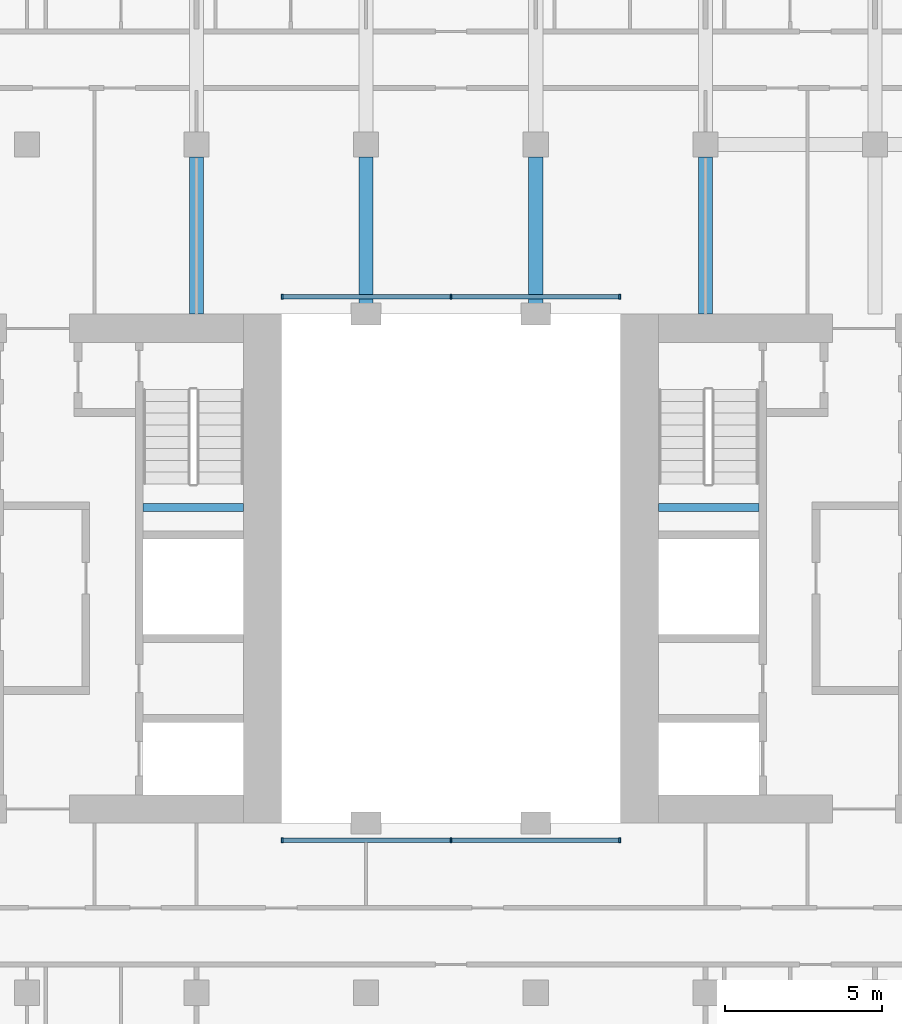
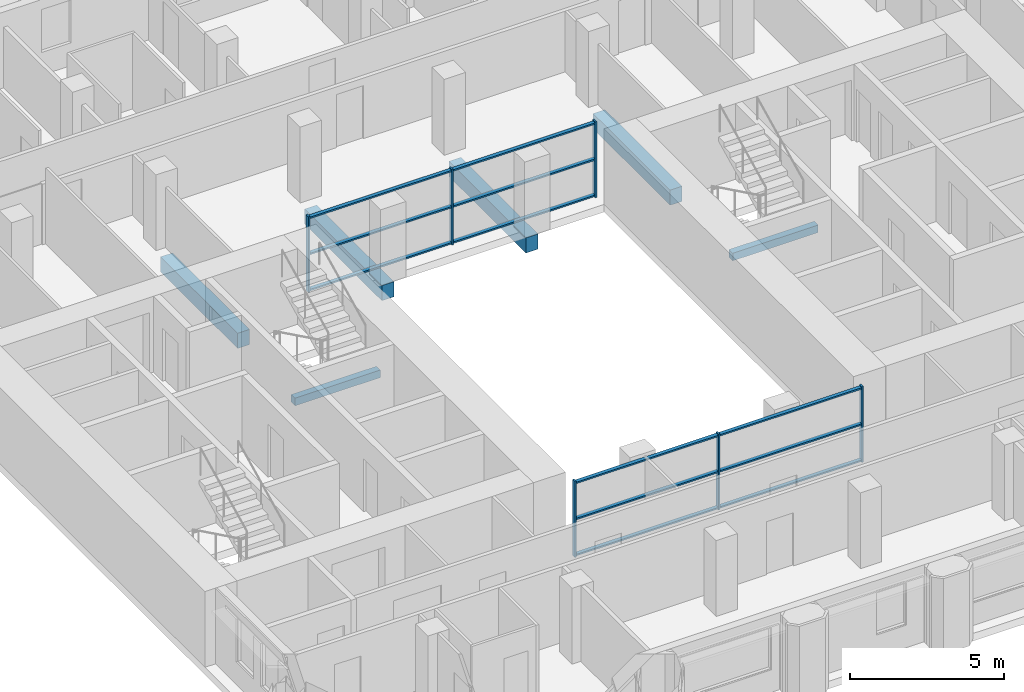
# One storey, part 2 of 12: 18 members, 6 beams, 2 elements without a shape of their own.
"""IFC4 building model written with IfcOpenShell, lengths in metres."""

from ifc_helpers import new_model, si_unit, direction, frame, origin, origin_2d, place, context, subcontext, project, spatial, rectangle, extrude, material, material_profile, profile_set, type_object, element, aggregate, save


model = new_model("IFC4")

# Units and contexts
model_context = context("Model", 3, precision=1e-05, world=origin(), true_north=direction((0.0, 1.0)))
body_context = subcontext(model_context, "Body", "Model", "MODEL_VIEW")
ifc_project = project(units=[si_unit("LENGTHUNIT", "METRE"), si_unit("AREAUNIT", "SQUARE_METRE"), si_unit("VOLUMEUNIT", "CUBIC_METRE"), si_unit("PLANEANGLEUNIT", "RADIAN"), si_unit("MASSUNIT", "GRAM", prefix="KILO")], contexts=[model_context])

# Site, building, storey
site_placement = place(None, origin())
site = spatial("IfcSite", under=ifc_project, at=site_placement, CompositionType="ELEMENT")
building_placement = place(site_placement, origin())
building = spatial("IfcBuilding", under=site, at=building_placement, Name="Tabaq Tower and Sports Hall", CompositionType="ELEMENT")
storey_placement = place(building_placement, frame((0.0, 0.0, 190.60009765625)))
storey = spatial("IfcBuildingStorey", under=building, at=storey_placement, Name="L46", CompositionType="ELEMENT", Elevation=190.60009765625)

# Curtain wall, members
ifc_material_1 = material(Name="Aluminium alloy 6063-T6 framed glazing", Category="aluminium")
curtain_wall_type = type_object("IfcCurtainWallType", Name="CW1 curtain wall", PredefinedType="USERDEFINED", material=ifc_material_1)
curtain_wall_1_placement = place(storey_placement, origin())
curtain_wall_1 = element("IfcCurtainWall", 1, at=curtain_wall_1_placement, inside=storey, type_object=curtain_wall_type, Name="Atrium glazing L46 S", ObjectType="ATRIUM ENCLOSURE", PredefinedType="USERDEFINED")
ifc_material_2 = material(Name="Aluminium alloy 6063-T6", Category="aluminium")
ifc_material_profile_1 = material_profile(ifc_material_2, rectangle(XDim=0.159912109375, YDim=0.06005859375, at=origin_2d()), Name="MULLION 160x60")
ifc_profile_set_1 = profile_set([ifc_material_profile_1], Name="Aluminium alloy 6063-T6")
member_type_1 = type_object("IfcMemberType", Name="CW1 mullion 160x60", PredefinedType="MULLION", material=ifc_profile_set_1)
member_1_placement = place(storey_placement, frame((18.929931640625, 15.64990234375, 0.0), z_axis=(0.0, 0.0, 1.0), x_axis=(0.0, 1.0, 0.0)))
member_1 = element("IfcMember", 2, at=member_1_placement, type_object=member_type_1, Name="CW1 mullion 1", PredefinedType="MULLION", context=body_context, shape_type="SweptSolid", body=[
    extrude(rectangle(XDim=0.159912109375, YDim=0.06005859375, at=origin_2d()), origin(), (0.0, 0.0, 1.0), 3.0),
])
member_2_placement = place(storey_placement, frame((24.300048828125, 15.64990234375, 0.0), z_axis=(0.0, 0.0, 1.0), x_axis=(0.0, 1.0, 0.0)))
member_2 = element("IfcMember", 3, at=member_2_placement, type_object=member_type_1, Name="CW1 mullion 2", PredefinedType="MULLION", context=body_context, shape_type="SweptSolid", body=[
    extrude(rectangle(XDim=0.159912109375, YDim=0.06005859375, at=origin_2d()), origin(), (0.0, 0.0, 1.0), 3.0),
])
member_3_placement = place(storey_placement, frame((29.669921875, 15.64990234375, 0.0), z_axis=(0.0, 0.0, 1.0), x_axis=(0.0, 1.0, 0.0)))
member_3 = element("IfcMember", 4, at=member_3_placement, type_object=member_type_1, Name="CW1 mullion 3", PredefinedType="MULLION", context=body_context, shape_type="SweptSolid", body=[
    extrude(rectangle(XDim=0.159912109375, YDim=0.06005859375, at=origin_2d()), origin(), (0.0, 0.0, 1.0), 3.0),
])

curtain_wall_2_placement = place(storey_placement, origin())
curtain_wall_2 = element("IfcCurtainWall", 5, at=curtain_wall_2_placement, inside=storey, type_object=curtain_wall_type, Name="Atrium glazing L46 N", ObjectType="ATRIUM ENCLOSURE", PredefinedType="USERDEFINED")
member_4_placement = place(storey_placement, frame((18.929931640625, 32.949951171875, 0.0), z_axis=(0.0, 0.0, 1.0), x_axis=(0.0, 1.0, 0.0)))
member_4 = element("IfcMember", 6, at=member_4_placement, type_object=member_type_1, Name="CW1 mullion 1", PredefinedType="MULLION", context=body_context, shape_type="SweptSolid", body=[
    extrude(rectangle(XDim=0.159912109375, YDim=0.06005859375, at=origin_2d()), origin(), (0.0, 0.0, 1.0), 3.0),
])
member_5_placement = place(storey_placement, frame((24.300048828125, 32.949951171875, 0.0), z_axis=(0.0, 0.0, 1.0), x_axis=(0.0, 1.0, 0.0)))
member_5 = element("IfcMember", 7, at=member_5_placement, type_object=member_type_1, Name="CW1 mullion 2", PredefinedType="MULLION", context=body_context, shape_type="SweptSolid", body=[
    extrude(rectangle(XDim=0.159912109375, YDim=0.06005859375, at=origin_2d()), origin(), (0.0, 0.0, 1.0), 3.0),
])
member_6_placement = place(storey_placement, frame((29.669921875, 32.949951171875, 0.0), z_axis=(0.0, 0.0, 1.0), x_axis=(0.0, 1.0, 0.0)))
member_6 = element("IfcMember", 8, at=member_6_placement, type_object=member_type_1, Name="CW1 mullion 3", PredefinedType="MULLION", context=body_context, shape_type="SweptSolid", body=[
    extrude(rectangle(XDim=0.159912109375, YDim=0.06005859375, at=origin_2d()), origin(), (0.0, 0.0, 1.0), 3.0),
])

# Member
ifc_material_3 = material(Name="Aluminium alloy 6063-T6", Category="aluminium")
ifc_material_profile_2 = material_profile(ifc_material_3, rectangle(XDim=0.139892578125, YDim=0.06005859375, at=origin_2d()), Name="TRANSOM 140x60")
ifc_profile_set_2 = profile_set([ifc_material_profile_2], Name="Aluminium alloy 6063-T6")
member_type_2 = type_object("IfcMemberType", Name="CW1 transom 140x60", PredefinedType="USERDEFINED", material=ifc_profile_set_2)
member_7_placement = place(storey_placement, frame((18.9599609375, 15.64990234375, 0.06982421875), z_axis=(1.0, 0.0, 0.0), x_axis=(0.0, 1.0, 0.0)))
member_7 = element("IfcMember", 9, at=member_7_placement, type_object=member_type_2, Name="CW1 transom 1.1", ObjectType="TRANSOM", PredefinedType="USERDEFINED", context=body_context, shape_type="SweptSolid", body=[
    extrude(rectangle(XDim=0.139892578125, YDim=0.06005859375, at=origin_2d()), origin(), (0.0, 0.0, 1.0), 5.31005859375),
])

member_8_placement = place(storey_placement, frame((18.9599609375, 15.64990234375, 1.5), z_axis=(1.0, 0.0, 0.0), x_axis=(0.0, 1.0, 0.0)))
member_8 = element("IfcMember", 10, at=member_8_placement, type_object=member_type_2, Name="CW1 transom 1.2", ObjectType="TRANSOM", PredefinedType="USERDEFINED", context=body_context, shape_type="SweptSolid", body=[
    extrude(rectangle(XDim=0.139892578125, YDim=0.06005859375, at=origin_2d()), origin(), (0.0, 0.0, 1.0), 5.31005859375),
])

member_9_placement = place(storey_placement, frame((18.9599609375, 15.64990234375, 2.929931640625), z_axis=(1.0, 0.0, 0.0), x_axis=(0.0, 1.0, 0.0)))
member_9 = element("IfcMember", 11, at=member_9_placement, type_object=member_type_2, Name="CW1 transom 1.3", ObjectType="TRANSOM", PredefinedType="USERDEFINED", context=body_context, shape_type="SweptSolid", body=[
    extrude(rectangle(XDim=0.139892578125, YDim=0.06005859375, at=origin_2d()), origin(), (0.0, 0.0, 1.0), 5.31005859375),
])

member_10_placement = place(storey_placement, frame((24.330078125, 15.64990234375, 0.06982421875), z_axis=(1.0, 0.0, 0.0), x_axis=(0.0, 1.0, 0.0)))
member_10 = element("IfcMember", 12, at=member_10_placement, type_object=member_type_2, Name="CW1 transom 2.1", ObjectType="TRANSOM", PredefinedType="USERDEFINED", context=body_context, shape_type="SweptSolid", body=[
    extrude(rectangle(XDim=0.139892578125, YDim=0.06005859375, at=origin_2d()), origin(), (0.0, 0.0, 1.0), 5.309814453125),
])

member_11_placement = place(storey_placement, frame((24.330078125, 15.64990234375, 1.5), z_axis=(1.0, 0.0, 0.0), x_axis=(0.0, 1.0, 0.0)))
member_11 = element("IfcMember", 13, at=member_11_placement, type_object=member_type_2, Name="CW1 transom 2.2", ObjectType="TRANSOM", PredefinedType="USERDEFINED", context=body_context, shape_type="SweptSolid", body=[
    extrude(rectangle(XDim=0.139892578125, YDim=0.06005859375, at=origin_2d()), origin(), (0.0, 0.0, 1.0), 5.309814453125),
])

member_12_placement = place(storey_placement, frame((24.330078125, 15.64990234375, 2.929931640625), z_axis=(1.0, 0.0, 0.0), x_axis=(0.0, 1.0, 0.0)))
member_12 = element("IfcMember", 14, at=member_12_placement, type_object=member_type_2, Name="CW1 transom 2.3", ObjectType="TRANSOM", PredefinedType="USERDEFINED", context=body_context, shape_type="SweptSolid", body=[
    extrude(rectangle(XDim=0.139892578125, YDim=0.06005859375, at=origin_2d()), origin(), (0.0, 0.0, 1.0), 5.309814453125),
])

aggregate(curtain_wall_1, [member_1, member_2, member_3, member_7, member_8, member_9, member_10, member_11, member_12])

member_13_placement = place(storey_placement, frame((18.9599609375, 32.949951171875, 0.06982421875), z_axis=(1.0, 0.0, 0.0), x_axis=(0.0, 1.0, 0.0)))
member_13 = element("IfcMember", 15, at=member_13_placement, type_object=member_type_2, Name="CW1 transom 1.1", ObjectType="TRANSOM", PredefinedType="USERDEFINED", context=body_context, shape_type="SweptSolid", body=[
    extrude(rectangle(XDim=0.139892578125, YDim=0.06005859375, at=origin_2d()), origin(), (0.0, 0.0, 1.0), 5.31005859375),
])

member_14_placement = place(storey_placement, frame((18.9599609375, 32.949951171875, 1.5), z_axis=(1.0, 0.0, 0.0), x_axis=(0.0, 1.0, 0.0)))
member_14 = element("IfcMember", 16, at=member_14_placement, type_object=member_type_2, Name="CW1 transom 1.2", ObjectType="TRANSOM", PredefinedType="USERDEFINED", context=body_context, shape_type="SweptSolid", body=[
    extrude(rectangle(XDim=0.139892578125, YDim=0.06005859375, at=origin_2d()), origin(), (0.0, 0.0, 1.0), 5.31005859375),
])

member_15_placement = place(storey_placement, frame((18.9599609375, 32.949951171875, 2.929931640625), z_axis=(1.0, 0.0, 0.0), x_axis=(0.0, 1.0, 0.0)))
member_15 = element("IfcMember", 17, at=member_15_placement, type_object=member_type_2, Name="CW1 transom 1.3", ObjectType="TRANSOM", PredefinedType="USERDEFINED", context=body_context, shape_type="SweptSolid", body=[
    extrude(rectangle(XDim=0.139892578125, YDim=0.06005859375, at=origin_2d()), origin(), (0.0, 0.0, 1.0), 5.31005859375),
])

member_16_placement = place(storey_placement, frame((24.330078125, 32.949951171875, 0.06982421875), z_axis=(1.0, 0.0, 0.0), x_axis=(0.0, 1.0, 0.0)))
member_16 = element("IfcMember", 18, at=member_16_placement, type_object=member_type_2, Name="CW1 transom 2.1", ObjectType="TRANSOM", PredefinedType="USERDEFINED", context=body_context, shape_type="SweptSolid", body=[
    extrude(rectangle(XDim=0.139892578125, YDim=0.06005859375, at=origin_2d()), origin(), (0.0, 0.0, 1.0), 5.309814453125),
])

member_17_placement = place(storey_placement, frame((24.330078125, 32.949951171875, 1.5), z_axis=(1.0, 0.0, 0.0), x_axis=(0.0, 1.0, 0.0)))
member_17 = element("IfcMember", 19, at=member_17_placement, type_object=member_type_2, Name="CW1 transom 2.2", ObjectType="TRANSOM", PredefinedType="USERDEFINED", context=body_context, shape_type="SweptSolid", body=[
    extrude(rectangle(XDim=0.139892578125, YDim=0.06005859375, at=origin_2d()), origin(), (0.0, 0.0, 1.0), 5.309814453125),
])

member_18_placement = place(storey_placement, frame((24.330078125, 32.949951171875, 2.929931640625), z_axis=(1.0, 0.0, 0.0), x_axis=(0.0, 1.0, 0.0)))
member_18 = element("IfcMember", 20, at=member_18_placement, type_object=member_type_2, Name="CW1 transom 2.3", ObjectType="TRANSOM", PredefinedType="USERDEFINED", context=body_context, shape_type="SweptSolid", body=[
    extrude(rectangle(XDim=0.139892578125, YDim=0.06005859375, at=origin_2d()), origin(), (0.0, 0.0, 1.0), 5.309814453125),
])

aggregate(curtain_wall_2, [member_4, member_5, member_6, member_13, member_14, member_15, member_16, member_17, member_18])

# Beams
ifc_material_4 = material(Name="Concrete C40/50", Category="concrete")
ifc_material_profile_3 = material_profile(ifc_material_4, rectangle(XDim=0.449951171875, YDim=0.60009765625, at=origin_2d()), Name="CB 450x600")
ifc_profile_set_3 = profile_set([ifc_material_profile_3], Name="Concrete C40/50")
beam_type_1 = type_object("IfcBeamType", Name="PT CANTILEVER BEAM CB 450x600 C40/50", PredefinedType="BEAM", material=ifc_profile_set_3)
for number, where, z_axis, x_axis, name in (
    (21, (16.199951171875, 37.39990234375, -0.60009765625), (0.0, -1.0, 0.0), (1.0, 0.0, 0.0), "Cantilever Beam L46 N3 span 3"),
    (22, (21.60009765625, 37.39990234375, -0.60009765625), (0.0, -1.0, 0.0), (1.0, 0.0, 0.0), "Cantilever Beam L46 N4 span 3"),
    (23, (27.0, 37.39990234375, -0.60009765625), (0.0, -1.0, 0.0), (1.0, 0.0, 0.0), "Cantilever Beam L46 N5 span 3"),
    (24, (32.39990234375, 37.39990234375, -0.60009765625), (0.0, -1.0, 0.0), (1.0, 0.0, 0.0), "Cantilever Beam L46 N6 span 3"),
):
    element("IfcBeam", number, at=place(storey_placement, frame(where, z_axis=z_axis, x_axis=x_axis)), inside=storey, type_object=beam_type_1, Name=name, PredefinedType="BEAM", context=body_context, shape_type="SweptSolid", body=[
        extrude(rectangle(XDim=0.449951171875, YDim=0.60009765625, at=origin_2d()), origin(), (0.0, 0.0, 1.0), 5.0),
    ])
ifc_material_5 = material(Name="Concrete C40/50", Category="concrete")
ifc_material_profile_4 = material_profile(ifc_material_5, rectangle(XDim=0.25, YDim=0.300048828125, at=origin_2d()), Name="RC 250x300")
ifc_profile_set_4 = profile_set([ifc_material_profile_4], Name="Concrete C40/50")
beam_type_2 = type_object("IfcBeamType", Name="Stair landing beam 250x300", PredefinedType="BEAM", material=ifc_profile_set_4)
beam_1_placement = place(storey_placement, frame((14.5, 26.25, 1.2998046875), z_axis=(1.0, 0.0, 0.0), x_axis=(0.0, 1.0, 0.0)))
element("IfcBeam", 25, at=beam_1_placement, inside=storey, type_object=beam_type_2, Name="L46 ST2 landing beam 1", PredefinedType="BEAM", context=body_context, shape_type="SweptSolid", body=[
    extrude(rectangle(XDim=0.25, YDim=0.300048828125, at=origin_2d()), origin(), (0.0, 0.0, 1.0), 3.199951171875),
])
beam_2_placement = place(storey_placement, frame((30.89990234375, 26.25, 1.2998046875), z_axis=(1.0, 0.0, 0.0), x_axis=(0.0, 1.0, 0.0)))
element("IfcBeam", 26, at=beam_2_placement, inside=storey, type_object=beam_type_2, Name="L46 ST4 landing beam 1", PredefinedType="BEAM", context=body_context, shape_type="SweptSolid", body=[
    extrude(rectangle(XDim=0.25, YDim=0.300048828125, at=origin_2d()), origin(), (0.0, 0.0, 1.0), 3.2001953125),
])

save(model, "model.ifc")
